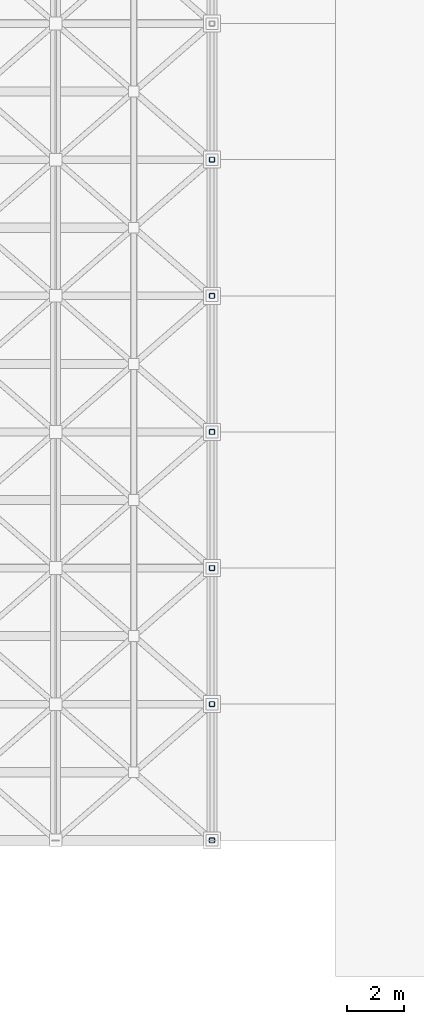
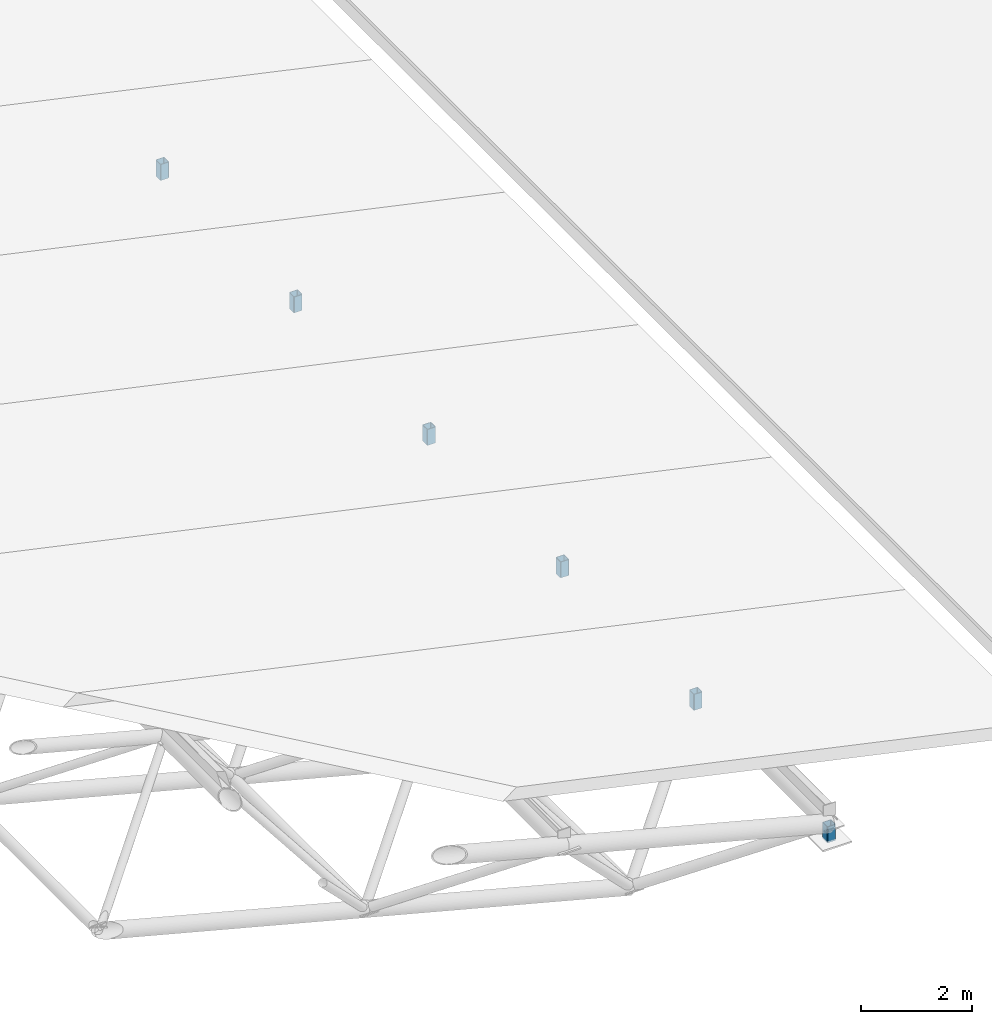
# One storey, part 36 of 60: 6 members.
"""IFC4 building model written with IfcOpenShell, lengths in metres."""

from ifc_helpers import new_model, si_unit, direction, frame, origin, origin_2d, place, context, subcontext, project, spatial, hollow_rectangle, extrude, material, material_profile, profile_set, type_object, element, save


model = new_model("IFC4")

# Units and contexts
model_context = context("Model", 3, precision=1e-05, world=origin(), true_north=direction((0.0, 1.0)))
body_context = subcontext(model_context, "Body", "Model", "MODEL_VIEW")
ifc_project = project(units=[si_unit("LENGTHUNIT", "METRE"), si_unit("AREAUNIT", "SQUARE_METRE"), si_unit("VOLUMEUNIT", "CUBIC_METRE"), si_unit("PLANEANGLEUNIT", "RADIAN"), si_unit("MASSUNIT", "GRAM", prefix="KILO")], contexts=[model_context])

# Site, building, storey
site_placement = place(None, origin())
site = spatial("IfcSite", under=ifc_project, at=site_placement, CompositionType="ELEMENT")
building_placement = place(site_placement, origin())
building = spatial("IfcBuilding", under=site, at=building_placement, Name="Nakhvara Creek Congress Hotel", CompositionType="ELEMENT")
storey_placement = place(building_placement, frame((0.0, 0.0, 54.60009765625)))
storey = spatial("IfcBuildingStorey", under=building, at=storey_placement, Name="RL1", CompositionType="ELEMENT", Elevation=54.60009765625)

# Members
ifc_material = material(Name="Steel S355J2H", Category="steel")
ifc_material_profile = material_profile(ifc_material, hollow_rectangle(XDim=0.179931640625, YDim=0.179931640625, WallThickness=0.010009765625, InnerFilletRadius=0.010009765625, OuterFilletRadius=0.02001953125, at=origin_2d()), Name="SHS 180x180x10.0", Category="LoadBearing")
ifc_profile_set = profile_set([ifc_material_profile], Name="Steel S355J2H")
member_type = type_object("IfcMemberType", Name="MEM-STR-SHS180", PredefinedType="STRUT", material=ifc_profile_set)
for number, where, z_axis, x_axis, name in (
    (1, (53.25, 33.60009765625, -35.400146484375), (0.0, 0.0, 1.0), (1.0, 0.0, 0.0), "Congress Roof Truss Bearing Strut 009"),
    (2, (53.25, 38.39990234375, -35.400146484375), (0.0, 0.0, 1.0), (1.0, 0.0, 0.0), "Congress Roof Truss Bearing Strut 018"),
    (3, (53.25, 43.199951171875, -35.400146484375), (0.0, 0.0, 1.0), (1.0, 0.0, 0.0), "Congress Roof Truss Bearing Strut 027"),
    (4, (53.25, 48.0, -35.400146484375), (0.0, 0.0, 1.0), (1.0, 0.0, 0.0), "Congress Roof Truss Bearing Strut 036"),
    (5, (53.25, 52.800048828125, -35.400146484375), (0.0, 0.0, 1.0), (1.0, 0.0, 0.0), "Congress Roof Truss Bearing Strut 045"),
    (6, (53.25, 57.60009765625, -35.400146484375), (0.0, 0.0, 1.0), (1.0, 0.0, 0.0), "Congress Roof Truss Bearing Strut 054"),
):
    element("IfcMember", number, at=place(storey_placement, frame(where, z_axis=z_axis, x_axis=x_axis)), inside=storey, type_object=member_type, Name=name, PredefinedType="STRUT", context=body_context, shape_type="SweptSolid", body=[
        extrude(hollow_rectangle(XDim=0.179931640625, YDim=0.179931640625, WallThickness=0.010009765625, InnerFilletRadius=0.010009765625, OuterFilletRadius=0.02001953125, at=origin_2d()), origin(), (0.0, 0.0, 1.0), 0.35009765625),
    ])

save(model, "model.ifc")
